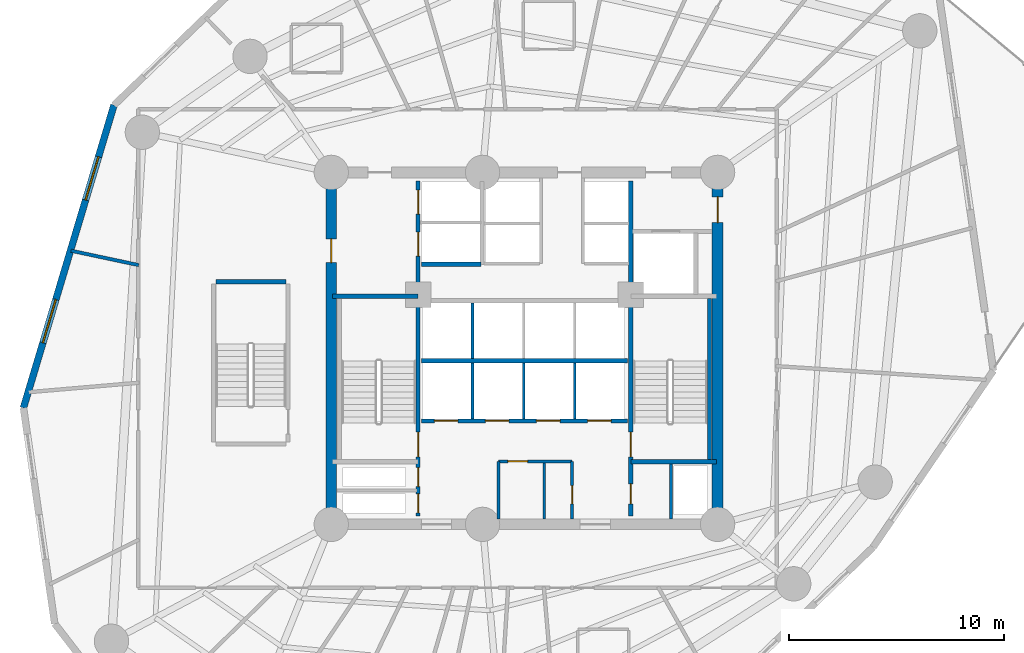
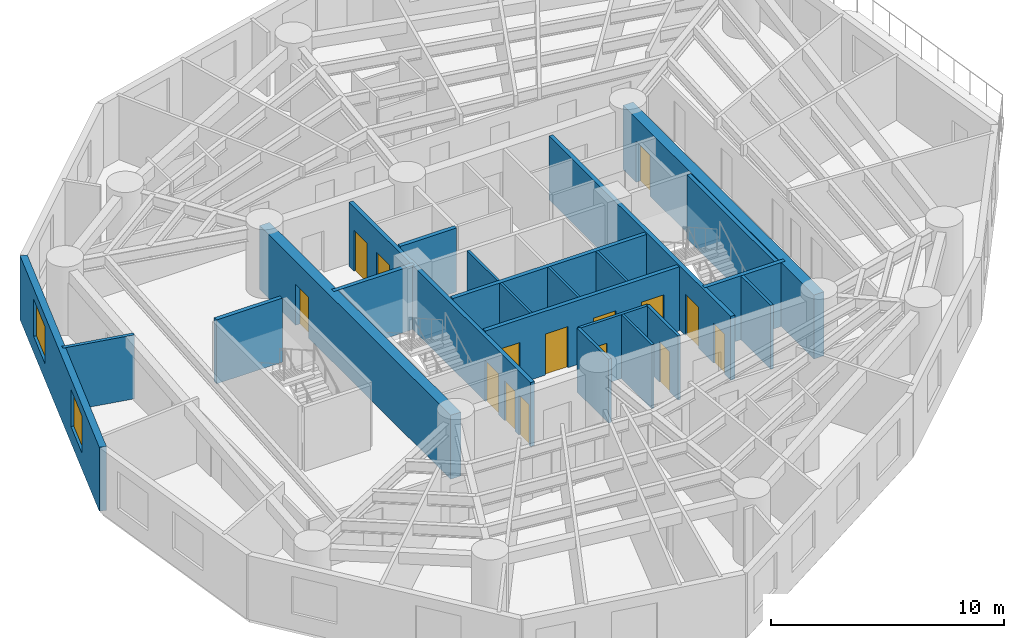
# One storey, part 4 of 9: 22 walls, 15 doors, 2 windows, 17 openings.
"""IFC4 building model written with IfcOpenShell, lengths in metres."""

from ifc_helpers import new_model, si_unit, direction, frame, frame_2d, origin, origin_with_axes, place, context, subcontext, project, spatial, rectangle, extrude, source, transform, mapped, material, layer, layer_set, type_object, element, fill, save


model = new_model("IFC4")

# Units and contexts
model_context = context("Model", 3, precision=1e-05, world=origin(), true_north=direction((0.0, 1.0)))
body_context = subcontext(model_context, "Body", "Model", "MODEL_VIEW")
ifc_project = project(units=[si_unit("LENGTHUNIT", "METRE"), si_unit("AREAUNIT", "SQUARE_METRE"), si_unit("VOLUMEUNIT", "CUBIC_METRE"), si_unit("PLANEANGLEUNIT", "RADIAN"), si_unit("MASSUNIT", "GRAM", prefix="KILO")], contexts=[model_context])

# Site, building, storey
site_placement = place(None, origin())
site = spatial("IfcSite", under=ifc_project, at=site_placement, CompositionType="ELEMENT")
building_placement = place(site_placement, origin())
building = spatial("IfcBuilding", under=site, at=building_placement, Name="Karkom Vertical University and Central Library", CompositionType="ELEMENT")
storey_placement = place(building_placement, frame((0.0, 0.0, 69.699951171875)))
storey = spatial("IfcBuildingStorey", under=building, at=storey_placement, Name="L18", CompositionType="ELEMENT", Elevation=69.699951171875)

# Wall, openings, windows
ifc_material_1 = material(Name="Brick-faced precast concrete C45/55", Category="masonry")
ifc_layer_1 = layer(ifc_material_1, 0.320068359375)
ifc_layer_set_1 = layer_set([ifc_layer_1], Name="Brick-faced precast concrete C45/55")
wall_type_1 = type_object("IfcWallType", Name="ENV-WL-BRK-320", PredefinedType="SOLIDWALL", material=ifc_layer_set_1)
wall_1_placement = place(storey_placement, frame((9.375244140625, 37.838134765625, 0.0), z_axis=(0.0, 0.0, 1.0), x_axis=(-0.286532715345, -0.958070458284, 0.0)))
wall_1 = element("IfcWall", 1, at=wall_1_placement, inside=storey, type_object=wall_type_1, Name="Level 18 Brick-Faced Precast Facade Wall 01", PredefinedType="SOLIDWALL", context=body_context, shape_type="SweptSolid", body=[
    extrude(rectangle(XDim=14.7294921875, YDim=0.320068359375, at=frame_2d((7.36474609375, 0.0))), origin(), (0.0, 0.0, 1.0), 3.35009765625),
])
opening_1_placement = place(wall_1_placement, frame((2.516845703125, 0.0, 0.85009765625)))
opening_1 = element("IfcOpeningElement", 2, at=opening_1_placement, cuts=wall_1, Name="Opening WN-03", PredefinedType="OPENING", context=body_context, shape_type="SweptSolid", body=[
    extrude(rectangle(XDim=2.10009765625, YDim=1.949951171875, at=frame_2d((1.050048828125, 0.97509765625))), frame((0.0, 0.169921875, 0.0), z_axis=(0.0, -1.0, 0.0), x_axis=(1.0, 0.0, 0.0)), (0.0, 0.0, 1.0), 0.340087890625),
])
opening_2_placement = place(wall_1_placement, frame((9.458251953125, 0.0, 0.85009765625)))
opening_2 = element("IfcOpeningElement", 3, at=opening_2_placement, cuts=wall_1, Name="Opening WN-03", PredefinedType="OPENING", context=body_context, shape_type="SweptSolid", body=[
    extrude(rectangle(XDim=2.10009765625, YDim=1.949951171875, at=frame_2d((1.050048828125, 0.97509765625))), frame((0.0, 0.169921875, 0.0), z_axis=(0.0, -1.0, 0.0), x_axis=(1.0, 0.0, 0.0)), (0.0, 0.0, 1.0), 0.340087890625),
])
ifc_material_2 = material(Name="Aluminium thermal-break frame with solar-control IGU", Category="aluminium")
window_type = type_object("IfcWindowType", Name="ENV-WIN-WN-03", PartitioningType="SINGLE_PANEL", PredefinedType="WINDOW", material=ifc_material_2)
shared_shape_1 = source(origin_with_axes(), body_context, "Body", "SweptSolid", [
    extrude(rectangle(XDim=2.10009765625, YDim=1.949951171875, at=frame_2d((1.050048828125, 0.97509765625))), frame((0.0, 0.030029296875, 0.0), z_axis=(0.0, -1.0, 0.0), x_axis=(1.0, 0.0, 0.0)), (0.0, 0.0, 1.0), 0.06005859375),
])
window_1_placement = place(opening_1_placement, origin())
window_1 = element("IfcWindow", 4, at=window_1_placement, inside=storey, type_object=window_type, Name="Level 18 Punched Window 1.1", OverallHeight=1.949951171875, OverallWidth=2.10009765625, PartitioningType="SINGLE_PANEL", PredefinedType="WINDOW", context=body_context, shape_type="MappedRepresentation", body=[
    mapped(shared_shape_1, transform((0.0, 0.0, 0.0), scale=1.0)),
])
fill(opening_1, window_1)
window_2_placement = place(opening_2_placement, origin())
window_2 = element("IfcWindow", 5, at=window_2_placement, inside=storey, type_object=window_type, Name="Level 18 Punched Window 1.2", OverallHeight=1.949951171875, OverallWidth=2.10009765625, PartitioningType="SINGLE_PANEL", PredefinedType="WINDOW", context=body_context, shape_type="MappedRepresentation", body=[
    mapped(shared_shape_1, transform((0.0, 0.0, 0.0), scale=1.0)),
])
fill(opening_2, window_2)

# Walls
ifc_material_3 = material(Name="Insulated metal-stud drywall 160mm", Category="gypsum")
ifc_layer_2 = layer(ifc_material_3, 0.159912109375)
ifc_layer_set_2 = layer_set([ifc_layer_2], Name="Insulated metal-stud drywall 160mm")
wall_type_2 = type_object("IfcWallType", Name="INT-WL-COR-160", PredefinedType="PARTITIONING", material=ifc_layer_set_2)
wall_2_placement = place(storey_placement, frame((10.529296875, 30.380126953125, 0.0), z_axis=(0.0, 0.0, 1.0), x_axis=(-0.978162887363, 0.207839759876, 0.0)))
element("IfcWall", 6, at=wall_2_placement, inside=storey, type_object=wall_type_2, Name="Level 18 Interior Partition Wall L18-PW-029", PredefinedType="PARTITIONING", context=body_context, shape_type="SweptSolid", body=[
    extrude(rectangle(XDim=3.22802734375, YDim=0.159912109375, at=frame_2d((1.614013671875, 0.0))), origin(), (0.0, 0.0, 1.0), 3.35009765625),
])
ifc_material_4 = material(Name="Moisture-resistant drywall 120mm", Category="gypsum")
ifc_layer_3 = layer(ifc_material_4, 0.1201171875)
ifc_layer_set_3 = layer_set([ifc_layer_3], Name="Moisture-resistant drywall 120mm")
wall_type_3 = type_object("IfcWallType", Name="INT-WL-INT-120", PredefinedType="PARTITIONING", material=ifc_layer_set_3)
wall_3_placement = place(storey_placement, frame((29.419921875, 18.556884765625, 0.0), z_axis=(0.0, 0.0, 1.0), x_axis=(0.0, 1.0, 0.0)))
element("IfcWall", 7, at=wall_3_placement, inside=storey, type_object=wall_type_3, Name="Level 18 Interior Partition Wall L18-CW-K3-DIV", PredefinedType="PARTITIONING", context=body_context, shape_type="SweptSolid", body=[
    extrude(rectangle(XDim=2.611083984375, YDim=0.1201171875, at=frame_2d((1.3056640625, 0.0))), origin(), (0.0, 0.0, 1.0), 3.35009765625),
])
ifc_layer_4 = layer(ifc_material_4, 0.1201171875)
ifc_layer_set_4 = layer_set([ifc_layer_4], Name="Moisture-resistant drywall 120mm")
wall_type_4 = type_object("IfcWallType", Name="INT-WL-INT-120H", PredefinedType="PARTITIONING", material=ifc_layer_set_4)
for number, where, z_axis, x_axis, name in (
    (8, (26.080078125, 23.219970703125, 0.0), (0.0, 0.0, 1.0), (0.0, 1.0, 0.0), "Level 18 Interior Partition Wall L18-CW-PL-DIV1"),
    (9, (28.4599609375, 23.219970703125, 0.0), (0.0, 0.0, 1.0), (0.0, 1.0, 0.0), "Level 18 Interior Partition Wall L18-CW-PL-DIV2"),
    (10, (30.840087890625, 23.219970703125, 0.0), (0.0, 0.0, 1.0), (0.0, 1.0, 0.0), "Level 18 Interior Partition Wall L18-CW-PL-DIV3"),
    (11, (26.080078125, 26.02001953125, 0.0), (0.0, 0.0, 1.0), (0.0, 1.0, 0.0), "Level 18 Interior Partition Wall L18-CW-PM-DIV1"),
):
    element("IfcWall", number, at=place(storey_placement, frame(where, z_axis=z_axis, x_axis=x_axis)), inside=storey, type_object=wall_type_4, Name=name, PredefinedType="PARTITIONING", context=body_context, shape_type="SweptSolid", body=[
        extrude(rectangle(XDim=2.60009765625, YDim=0.1201171875, at=frame_2d((1.300048828125, 0.0))), origin(), (0.0, 0.0, 1.0), 3.35009765625),
    ])

# Wall, opening, door
ifc_material_5 = material(Name="Metal-stud gypsum partition 140mm", Category="gypsum")
ifc_layer_5 = layer(ifc_material_5, 0.139892578125)
ifc_layer_set_5 = layer_set([ifc_layer_5], Name="Metal-stud gypsum partition 140mm")
wall_type_5 = type_object("IfcWallType", Name="INT-WL-SUB-140", PredefinedType="PARTITIONING", material=ifc_layer_set_5)
wall_4_placement = place(storey_placement, frame((27.280029296875, 21.239990234375, 0.0), z_axis=(0.0, 0.0, 1.0), x_axis=(1.0, 0.0, 0.0)))
wall_4 = element("IfcWall", 12, at=wall_4_placement, inside=storey, type_object=wall_type_5, Name="Level 18 Interior Partition Wall L18-CW-KBAY-N", PredefinedType="PARTITIONING", context=body_context, shape_type="SweptSolid", body=[
    extrude(rectangle(XDim=3.43994140625, YDim=0.139892578125, at=frame_2d((1.719970703125, 0.0))), origin(), (0.0, 0.0, 1.0), 3.35009765625),
])
opening_3_placement = place(wall_4_placement, frame((0.449951171875, 0.0, 0.0)))
opening_3 = element("IfcOpeningElement", 13, at=opening_3_placement, cuts=wall_4, Name="Opening D-SVC1", PredefinedType="OPENING", context=body_context, shape_type="SweptSolid", body=[
    extrude(rectangle(XDim=0.919921875, YDim=2.10009765625, at=frame_2d((0.4599609375, 1.050048828125))), frame((0.0, 0.080078125, 0.0), z_axis=(0.0, -1.0, 0.0), x_axis=(1.0, 0.0, 0.0)), (0.0, 0.0, 1.0), 0.159912109375),
])
ifc_material_6 = material(Name="Painted timber service door", Category="wood")
door_type_1 = type_object("IfcDoorType", Name="INT-DR-SVC1", OperationType="NOTDEFINED", PredefinedType="DOOR", material=ifc_material_6)
shared_shape_2 = source(origin_with_axes(), body_context, "Body", "SweptSolid", [
    extrude(rectangle(XDim=0.919921875, YDim=2.10009765625, at=frame_2d((0.4599609375, 1.050048828125))), frame((0.0, 0.02490234375, 0.0), z_axis=(0.0, -1.0, 0.0), x_axis=(1.0, 0.0, 0.0)), (0.0, 0.0, 1.0), 0.050048828125),
])
door_1_placement = place(opening_3_placement, origin())
door_1 = element("IfcDoor", 14, at=door_1_placement, inside=storey, type_object=door_type_1, Name="Level 18 Copy Room Door", OperationType="SINGLE_SWING_RIGHT", OverallHeight=2.10009765625, OverallWidth=0.919921875, PredefinedType="DOOR", context=body_context, shape_type="MappedRepresentation", body=[
    mapped(shared_shape_2, transform((0.0, 0.0, 0.0), scale=1.0)),
])
fill(opening_3, door_1)

# Wall
wall_5_placement = place(storey_placement, frame((27.280029296875, 18.550048828125, 0.0), z_axis=(0.0, 0.0, 1.0), x_axis=(0.0, 1.0, 0.0)))
element("IfcWall", 15, at=wall_5_placement, inside=storey, type_object=wall_type_5, Name="Level 18 Interior Partition Wall L18-CW-KBAY-W", PredefinedType="PARTITIONING", context=body_context, shape_type="SweptSolid", body=[
    extrude(rectangle(XDim=2.68994140625, YDim=0.139892578125, at=frame_2d((1.344970703125, 0.0))), origin(), (0.0, 0.0, 1.0), 3.35009765625),
])

# Wall, opening, door
wall_6_placement = place(storey_placement, frame((30.719970703125, 18.550048828125, 0.0), z_axis=(0.0, 0.0, 1.0), x_axis=(0.0, 1.0, 0.0)))
wall_6 = element("IfcWall", 16, at=wall_6_placement, inside=storey, type_object=wall_type_5, Name="Level 18 Interior Partition Wall L18-CW-KBAY-E", PredefinedType="PARTITIONING", context=body_context, shape_type="SweptSolid", body=[
    extrude(rectangle(XDim=2.68994140625, YDim=0.139892578125, at=frame_2d((1.344970703125, 0.0))), origin(), (0.0, 0.0, 1.0), 3.35009765625),
])
opening_4_placement = place(wall_6_placement, frame((0.699951171875, 0.0, 0.0)))
opening_4 = element("IfcOpeningElement", 17, at=opening_4_placement, cuts=wall_6, Name="Opening D-BATH", PredefinedType="OPENING", context=body_context, shape_type="SweptSolid", body=[
    extrude(rectangle(XDim=0.860107421875, YDim=2.10009765625, at=frame_2d((0.43017578125, 1.050048828125))), frame((0.0, 0.080078125, 0.0), z_axis=(0.0, -1.0, 0.0), x_axis=(1.0, 0.0, 0.0)), (0.0, 0.0, 1.0), 0.159912109375),
])
ifc_material_7 = material(Name="Moisture-resistant oak door", Category="wood")
door_type_2 = type_object("IfcDoorType", Name="INT-DR-BATH", OperationType="NOTDEFINED", PredefinedType="DOOR", material=ifc_material_7)
shared_shape_3 = source(origin_with_axes(), body_context, "Body", "SweptSolid", [
    extrude(rectangle(XDim=0.860107421875, YDim=2.10009765625, at=frame_2d((0.43017578125, 1.050048828125))), frame((0.0, 0.02490234375, 0.0), z_axis=(0.0, -1.0, 0.0), x_axis=(1.0, 0.0, 0.0)), (0.0, 0.0, 1.0), 0.050048828125),
])
door_2_placement = place(opening_4_placement, origin())
door_2 = element("IfcDoor", 18, at=door_2_placement, inside=storey, type_object=door_type_2, Name="Level 18 Janitor Door", OperationType="SINGLE_SWING_LEFT", OverallHeight=2.10009765625, OverallWidth=0.860107421875, PredefinedType="DOOR", context=body_context, shape_type="MappedRepresentation", body=[
    mapped(shared_shape_3, transform((0.0, 0.0, 0.0), scale=1.0)),
])
fill(opening_4, door_2)

# Wall
ifc_layer_6 = layer(ifc_material_5, 0.139892578125)
ifc_layer_set_6 = layer_set([ifc_layer_6], Name="Metal-stud gypsum partition 140mm")
wall_type_6 = type_object("IfcWallType", Name="INT-WL-SUB-140H", PredefinedType="PARTITIONING", material=ifc_layer_set_6)
wall_7_placement = place(storey_placement, frame((35.320068359375, 18.556884765625, 0.0), z_axis=(0.0, 0.0, 1.0), x_axis=(0.0, 1.0, 0.0)))
element("IfcWall", 19, at=wall_7_placement, inside=storey, type_object=wall_type_6, Name="Level 18 Interior Partition Wall L18-CW-RIS-E", PredefinedType="PARTITIONING", context=body_context, shape_type="SweptSolid", body=[
    extrude(rectangle(XDim=2.553466796875, YDim=0.139892578125, at=frame_2d((1.27685546875, 0.0))), origin(), (0.0, 0.0, 1.0), 3.35009765625),
])

# Wall, opening, door
ifc_material_8 = material(Name="Concrete C50/60", Category="concrete")
ifc_layer_7 = layer(ifc_material_8, 0.5)
ifc_layer_set_7 = layer_set([ifc_layer_7], Name="Concrete C50/60")
wall_type_7 = type_object("IfcWallType", Name="STR-WL-CW-500", PredefinedType="SHEAR", material=ifc_layer_set_7)
wall_8_placement = place(storey_placement, frame((37.5, 18.300048828125, 0.0), z_axis=(0.0, 0.0, 1.0), x_axis=(0.0, 1.0, 0.0)))
wall_8 = element("IfcWall", 20, at=wall_8_placement, inside=storey, type_object=wall_type_7, Name="Level 18 Central Core Shear Wall EW", PredefinedType="SHEAR", context=body_context, shape_type="SweptSolid", body=[
    extrude(rectangle(XDim=16.39990234375, YDim=0.5, at=frame_2d((8.199951171875, 0.0))), origin(), (0.0, 0.0, 1.0), 3.35009765625),
])
opening_5_placement = place(wall_8_placement, frame((14.06005859375, 0.0, 0.0)))
opening_5 = element("IfcOpeningElement", 21, at=opening_5_placement, cuts=wall_8, Name="Opening FD-SUB1", PredefinedType="OPENING", context=body_context, shape_type="SweptSolid", body=[
    extrude(rectangle(XDim=1.199951171875, YDim=2.14990234375, at=frame_2d((0.60009765625, 1.074951171875))), frame((0.0, 0.260009765625, 0.0), z_axis=(0.0, -1.0, 0.0), x_axis=(1.0, 0.0, 0.0)), (0.0, 0.0, 1.0), 0.52001953125),
])
ifc_material_9 = material(Name="Painted steel fire door", Category="steel")
door_type_3 = type_object("IfcDoorType", Name="INT-DR-SUB1", OperationType="NOTDEFINED", PredefinedType="DOOR", material=ifc_material_9)
shared_shape_4 = source(origin_with_axes(), body_context, "Body", "SweptSolid", [
    extrude(rectangle(XDim=1.199951171875, YDim=2.14990234375, at=frame_2d((0.60009765625, 1.074951171875))), frame((0.0, 0.02490234375, 0.0), z_axis=(0.0, -1.0, 0.0), x_axis=(1.0, 0.0, 0.0)), (0.0, 0.0, 1.0), 0.050048828125),
])
door_3_placement = place(opening_5_placement, origin())
door_3 = element("IfcDoor", 22, at=door_3_placement, inside=storey, type_object=door_type_3, Name="Level 18 East Corridor Service Lobby Door", OperationType="SINGLE_SWING_LEFT", OverallHeight=2.14990234375, OverallWidth=1.199951171875, PredefinedType="DOOR", context=body_context, shape_type="MappedRepresentation", body=[
    mapped(shared_shape_4, transform((0.0, 0.0, 0.0), scale=1.0)),
])
fill(opening_5, door_3)

wall_9_placement = place(storey_placement, frame((19.5, 34.699951171875, 0.0), z_axis=(0.0, 0.0, 1.0), x_axis=(0.0, -1.0, 0.0)))
wall_9 = element("IfcWall", 23, at=wall_9_placement, inside=storey, type_object=wall_type_7, Name="Level 18 Central Core Shear Wall WW", PredefinedType="SHEAR", context=body_context, shape_type="SweptSolid", body=[
    extrude(rectangle(XDim=16.39990234375, YDim=0.5, at=frame_2d((8.199951171875, 0.0))), origin(), (0.0, 0.0, 1.0), 3.35009765625),
])
opening_6_placement = place(wall_9_placement, frame((3.10009765625, 0.0, 0.0)))
opening_6 = element("IfcOpeningElement", 24, at=opening_6_placement, cuts=wall_9, Name="Opening FD-FFL", PredefinedType="OPENING", context=body_context, shape_type="SweptSolid", body=[
    extrude(rectangle(XDim=1.10009765625, YDim=2.14990234375, at=frame_2d((0.550048828125, 1.074951171875))), frame((0.0, 0.260009765625, 0.0), z_axis=(0.0, -1.0, 0.0), x_axis=(1.0, 0.0, 0.0)), (0.0, 0.0, 1.0), 0.52001953125),
])
ifc_material_10 = material(Name="Painted steel smoke-seal fire door", Category="steel")
door_type_4 = type_object("IfcDoorType", Name="INT-DR-FFL", OperationType="NOTDEFINED", PredefinedType="DOOR", material=ifc_material_10)
shared_shape_5 = source(origin_with_axes(), body_context, "Body", "SweptSolid", [
    extrude(rectangle(XDim=1.10009765625, YDim=2.14990234375, at=frame_2d((0.550048828125, 1.074951171875))), frame((0.0, 0.02490234375, 0.0), z_axis=(0.0, -1.0, 0.0), x_axis=(1.0, 0.0, 0.0)), (0.0, 0.0, 1.0), 0.050048828125),
])
door_4_placement = place(opening_6_placement, origin())
door_4 = element("IfcDoor", 25, at=door_4_placement, inside=storey, type_object=door_type_4, Name="Level 18 West Corridor Firefighting Lobby Door", OperationType="SINGLE_SWING_RIGHT", OverallHeight=2.14990234375, OverallWidth=1.10009765625, PredefinedType="DOOR", context=body_context, shape_type="MappedRepresentation", body=[
    mapped(shared_shape_5, transform((0.0, 0.0, 0.0), scale=1.0)),
])
fill(opening_6, door_4)

# Wall, openings, doors
ifc_material_11 = material(Name="Concrete C45/55", Category="concrete")
ifc_layer_8 = layer(ifc_material_11, 0.199951171875)
ifc_layer_set_8 = layer_set([ifc_layer_8], Name="Concrete C45/55")
wall_type_8 = type_object("IfcWallType", Name="STR-WL-ST-200", PredefinedType="SHEAR", material=ifc_layer_set_8)
wall_10_placement = place(storey_placement, frame((23.544921875, 18.699951171875, 0.0), z_axis=(0.0, 0.0, 1.0), x_axis=(0.0, 1.0, 0.0)))
wall_10 = element("IfcWall", 26, at=wall_10_placement, inside=storey, type_object=wall_type_8, Name="Level 18 Core Shaft Wall L18-CW-ST1-E", PredefinedType="SHEAR", context=body_context, shape_type="SweptSolid", body=[
    extrude(rectangle(XDim=15.60009765625, YDim=0.199951171875, at=frame_2d((7.800048828125, 0.0))), origin(), (0.0, 0.0, 1.0), 3.35009765625),
])
opening_7_placement = place(wall_10_placement, frame((2.75, 0.0, 0.0)))
opening_7 = element("IfcOpeningElement", 27, at=opening_7_placement, cuts=wall_10, Name="Opening FD-ST1", PredefinedType="OPENING", context=body_context, shape_type="SweptSolid", body=[
    extrude(rectangle(XDim=1.14990234375, YDim=2.14990234375, at=frame_2d((0.574951171875, 1.074951171875))), frame((0.0, 0.10986328125, 0.0), z_axis=(0.0, -1.0, 0.0), x_axis=(1.0, 0.0, 0.0)), (0.0, 0.0, 1.0), 0.219970703125),
])
opening_8_placement = place(wall_10_placement, frame((0.139892578125, 0.0, 0.0)))
opening_8 = element("IfcOpeningElement", 28, at=opening_8_placement, cuts=wall_10, Name="Opening FD-RIS", PredefinedType="OPENING", context=body_context, shape_type="SweptSolid", body=[
    extrude(rectangle(XDim=0.8798828125, YDim=2.10009765625, at=frame_2d((0.43994140625, 1.050048828125))), frame((0.0, 0.10986328125, 0.0), z_axis=(0.0, -1.0, 0.0), x_axis=(1.0, 0.0, 0.0)), (0.0, 0.0, 1.0), 0.219970703125),
])
opening_9_placement = place(wall_10_placement, frame((1.360107421875, 0.0, 0.0)))
opening_9 = element("IfcOpeningElement", 29, at=opening_9_placement, cuts=wall_10, Name="Opening FD-RIS", PredefinedType="OPENING", context=body_context, shape_type="SweptSolid", body=[
    extrude(rectangle(XDim=0.8798828125, YDim=2.10009765625, at=frame_2d((0.43994140625, 1.050048828125))), frame((0.0, 0.10986328125, 0.0), z_axis=(0.0, -1.0, 0.0), x_axis=(1.0, 0.0, 0.0)), (0.0, 0.0, 1.0), 0.219970703125),
])
opening_10_placement = place(wall_10_placement, frame((12.10009765625, 0.0, 0.0)))
opening_10 = element("IfcOpeningElement", 30, at=opening_10_placement, cuts=wall_10, Name="Opening LD-FFL", PredefinedType="OPENING", context=body_context, shape_type="SweptSolid", body=[
    extrude(rectangle(XDim=1.1201171875, YDim=2.14990234375, at=frame_2d((0.56005859375, 1.074951171875))), frame((0.0, 0.10986328125, 0.0), z_axis=(0.0, -1.0, 0.0), x_axis=(1.0, 0.0, 0.0)), (0.0, 0.0, 1.0), 0.219970703125),
])
opening_11_placement = place(wall_10_placement, frame((14.050048828125, 0.0, 0.0)))
opening_11 = element("IfcOpeningElement", 31, at=opening_11_placement, cuts=wall_10, Name="Opening LD-FFL", PredefinedType="OPENING", context=body_context, shape_type="SweptSolid", body=[
    extrude(rectangle(XDim=1.1201171875, YDim=2.14990234375, at=frame_2d((0.56005859375, 1.074951171875))), frame((0.0, 0.10986328125, 0.0), z_axis=(0.0, -1.0, 0.0), x_axis=(1.0, 0.0, 0.0)), (0.0, 0.0, 1.0), 0.219970703125),
])
ifc_material_12 = material(Name="Painted steel acoustic fire door", Category="steel")
door_type_5 = type_object("IfcDoorType", Name="INT-DR-ST1", OperationType="NOTDEFINED", PredefinedType="DOOR", material=ifc_material_12)
shared_shape_6 = source(origin_with_axes(), body_context, "Body", "SweptSolid", [
    extrude(rectangle(XDim=1.14990234375, YDim=2.14990234375, at=frame_2d((0.574951171875, 1.074951171875))), frame((0.0, 0.02490234375, 0.0), z_axis=(0.0, -1.0, 0.0), x_axis=(1.0, 0.0, 0.0)), (0.0, 0.0, 1.0), 0.050048828125),
])
door_5_placement = place(opening_7_placement, origin())
door_5 = element("IfcDoor", 32, at=door_5_placement, inside=storey, type_object=door_type_5, Name="Level 18 Stair ST-1 Fire Door", OperationType="SINGLE_SWING_LEFT", OverallHeight=2.14990234375, OverallWidth=1.14990234375, PredefinedType="DOOR", context=body_context, shape_type="MappedRepresentation", body=[
    mapped(shared_shape_6, transform((0.0, 0.0, 0.0), scale=1.0)),
])
fill(opening_7, door_5)
ifc_material_13 = material(Name="Painted steel riser access door", Category="steel")
door_type_6 = type_object("IfcDoorType", Name="INT-DR-RIS", OperationType="NOTDEFINED", PredefinedType="DOOR", material=ifc_material_13)
shared_shape_7 = source(origin_with_axes(), body_context, "Body", "SweptSolid", [
    extrude(rectangle(XDim=0.8798828125, YDim=2.10009765625, at=frame_2d((0.43994140625, 1.050048828125))), frame((0.0, 0.02490234375, 0.0), z_axis=(0.0, -1.0, 0.0), x_axis=(1.0, 0.0, 0.0)), (0.0, 0.0, 1.0), 0.050048828125),
])
door_6_placement = place(opening_8_placement, origin())
door_6 = element("IfcDoor", 33, at=door_6_placement, inside=storey, type_object=door_type_6, Name="Level 18 Electrical Riser Access Door", OperationType="SINGLE_SWING_LEFT", OverallHeight=2.10009765625, OverallWidth=0.8798828125, PredefinedType="DOOR", context=body_context, shape_type="MappedRepresentation", body=[
    mapped(shared_shape_7, transform((0.0, 0.0, 0.0), scale=1.0)),
])
fill(opening_8, door_6)
door_7_placement = place(opening_9_placement, origin())
door_7 = element("IfcDoor", 34, at=door_7_placement, inside=storey, type_object=door_type_6, Name="Level 18 Telecom Riser Access Door", OperationType="SINGLE_SWING_RIGHT", OverallHeight=2.10009765625, OverallWidth=0.8798828125, PredefinedType="DOOR", context=body_context, shape_type="MappedRepresentation", body=[
    mapped(shared_shape_7, transform((0.0, 0.0, 0.0), scale=1.0)),
])
fill(opening_9, door_7)
ifc_material_14 = material(Name="Fire-rated stainless-steel landing door", Category="steel")
door_type_7 = type_object("IfcDoorType", Name="INT-DR-LD-FFL", OperationType="SLIDING_TO_LEFT", PredefinedType="DOOR", material=ifc_material_14)
shared_shape_8 = source(origin_with_axes(), body_context, "Body", "SweptSolid", [
    extrude(rectangle(XDim=1.1201171875, YDim=2.14990234375, at=frame_2d((0.56005859375, 1.074951171875))), frame((0.0, 0.02490234375, 0.0), z_axis=(0.0, -1.0, 0.0), x_axis=(1.0, 0.0, 0.0)), (0.0, 0.0, 1.0), 0.050048828125),
])
door_8_placement = place(opening_10_placement, origin())
door_8 = element("IfcDoor", 35, at=door_8_placement, inside=storey, type_object=door_type_7, Name="Level 18 Firefighting Lift FFL-1 Landing Door", OperationType="SLIDING_TO_LEFT", OverallHeight=2.14990234375, OverallWidth=1.1201171875, PredefinedType="DOOR", context=body_context, shape_type="MappedRepresentation", body=[
    mapped(shared_shape_8, transform((0.0, 0.0, 0.0), scale=1.0)),
])
fill(opening_10, door_8)
door_9_placement = place(opening_11_placement, origin())
door_9 = element("IfcDoor", 36, at=door_9_placement, inside=storey, type_object=door_type_7, Name="Level 18 Firefighting Lift FFL-2 Landing Door", OperationType="SLIDING_TO_RIGHT", OverallHeight=2.14990234375, OverallWidth=1.1201171875, PredefinedType="DOOR", context=body_context, shape_type="MappedRepresentation", body=[
    mapped(shared_shape_8, transform((0.0, 0.0, 0.0), scale=1.0)),
])
fill(opening_11, door_9)

wall_11_placement = place(storey_placement, frame((33.455078125, 18.699951171875, 0.0), z_axis=(0.0, 0.0, 1.0), x_axis=(0.0, 1.0, 0.0)))
wall_11 = element("IfcWall", 37, at=wall_11_placement, inside=storey, type_object=wall_type_8, Name="Level 18 Core Shaft Wall L18-CW-ST2-W", PredefinedType="SHEAR", context=body_context, shape_type="SweptSolid", body=[
    extrude(rectangle(XDim=15.60009765625, YDim=0.199951171875, at=frame_2d((7.800048828125, 0.0))), origin(), (0.0, 0.0, 1.0), 3.35009765625),
])
opening_12_placement = place(wall_11_placement, frame((2.75, 0.0, 0.0)))
opening_12 = element("IfcOpeningElement", 38, at=opening_12_placement, cuts=wall_11, Name="Opening FD-ST1", PredefinedType="OPENING", context=body_context, shape_type="SweptSolid", body=[
    extrude(rectangle(XDim=1.14990234375, YDim=2.14990234375, at=frame_2d((0.574951171875, 1.074951171875))), frame((0.0, 0.10986328125, 0.0), z_axis=(0.0, -1.0, 0.0), x_axis=(1.0, 0.0, 0.0)), (0.0, 0.0, 1.0), 0.219970703125),
])
opening_13_placement = place(wall_11_placement, frame((0.550048828125, 0.0, 0.0)))
opening_13 = element("IfcOpeningElement", 39, at=opening_13_placement, cuts=wall_11, Name="Opening D-WC1", PredefinedType="OPENING", context=body_context, shape_type="SweptSolid", body=[
    extrude(rectangle(XDim=0.93994140625, YDim=2.10009765625, at=frame_2d((0.469970703125, 1.050048828125))), frame((0.0, 0.10986328125, 0.0), z_axis=(0.0, -1.0, 0.0), x_axis=(1.0, 0.0, 0.0)), (0.0, 0.0, 1.0), 0.219970703125),
])
door_10_placement = place(opening_12_placement, origin())
door_10 = element("IfcDoor", 40, at=door_10_placement, inside=storey, type_object=door_type_5, Name="Level 18 Stair ST-2 Fire Door", OperationType="SINGLE_SWING_RIGHT", OverallHeight=2.14990234375, OverallWidth=1.14990234375, PredefinedType="DOOR", context=body_context, shape_type="MappedRepresentation", body=[
    mapped(shared_shape_6, transform((0.0, 0.0, 0.0), scale=1.0)),
])
fill(opening_12, door_10)
ifc_material_15 = material(Name="Fire-rated laminate moisture-resistant door", Category="wood")
door_type_8 = type_object("IfcDoorType", Name="INT-DR-WC1", OperationType="NOTDEFINED", PredefinedType="DOOR", material=ifc_material_15)
shared_shape_9 = source(origin_with_axes(), body_context, "Body", "SweptSolid", [
    extrude(rectangle(XDim=0.93994140625, YDim=2.10009765625, at=frame_2d((0.469970703125, 1.050048828125))), frame((0.0, 0.02490234375, 0.0), z_axis=(0.0, -1.0, 0.0), x_axis=(1.0, 0.0, 0.0)), (0.0, 0.0, 1.0), 0.050048828125),
])
door_11_placement = place(opening_13_placement, origin())
door_11 = element("IfcDoor", 41, at=door_11_placement, inside=storey, type_object=door_type_8, Name="Level 18 Accessible WC Door", OperationType="SINGLE_SWING_LEFT", OverallHeight=2.10009765625, OverallWidth=0.93994140625, PredefinedType="DOOR", context=body_context, shape_type="MappedRepresentation", body=[
    mapped(shared_shape_9, transform((0.0, 0.0, 0.0), scale=1.0)),
])
fill(opening_13, door_11)

wall_12_placement = place(storey_placement, frame((23.699951171875, 23.1201171875, 0.0), z_axis=(0.0, 0.0, 1.0), x_axis=(1.0, 0.0, 0.0)))
wall_12 = element("IfcWall", 42, at=wall_12_placement, inside=storey, type_object=wall_type_8, Name="Level 18 Core Shaft Wall L18-CW-B1-S", PredefinedType="SHEAR", context=body_context, shape_type="SweptSolid", body=[
    extrude(rectangle(XDim=9.60009765625, YDim=0.199951171875, at=frame_2d((4.800048828125, 0.0))), origin(), (0.0, 0.0, 1.0), 3.35009765625),
])
opening_14_placement = place(wall_12_placement, frame((0.60009765625, 0.0, 0.0)))
opening_14 = element("IfcOpeningElement", 43, at=opening_14_placement, cuts=wall_12, Name="Opening LD-PAX", PredefinedType="OPENING", context=body_context, shape_type="SweptSolid", body=[
    extrude(rectangle(XDim=1.10009765625, YDim=2.14990234375, at=frame_2d((0.550048828125, 1.074951171875))), frame((0.0, 0.10986328125, 0.0), z_axis=(0.0, -1.0, 0.0), x_axis=(1.0, 0.0, 0.0)), (0.0, 0.0, 1.0), 0.219970703125),
])
opening_15_placement = place(wall_12_placement, frame((2.97998046875, 0.0, 0.0)))
opening_15 = element("IfcOpeningElement", 44, at=opening_15_placement, cuts=wall_12, Name="Opening LD-PAX", PredefinedType="OPENING", context=body_context, shape_type="SweptSolid", body=[
    extrude(rectangle(XDim=1.10009765625, YDim=2.14990234375, at=frame_2d((0.550048828125, 1.074951171875))), frame((0.0, 0.10986328125, 0.0), z_axis=(0.0, -1.0, 0.0), x_axis=(1.0, 0.0, 0.0)), (0.0, 0.0, 1.0), 0.219970703125),
])
opening_16_placement = place(wall_12_placement, frame((5.360107421875, 0.0, 0.0)))
opening_16 = element("IfcOpeningElement", 45, at=opening_16_placement, cuts=wall_12, Name="Opening LD-PAX", PredefinedType="OPENING", context=body_context, shape_type="SweptSolid", body=[
    extrude(rectangle(XDim=1.10009765625, YDim=2.14990234375, at=frame_2d((0.550048828125, 1.074951171875))), frame((0.0, 0.10986328125, 0.0), z_axis=(0.0, -1.0, 0.0), x_axis=(1.0, 0.0, 0.0)), (0.0, 0.0, 1.0), 0.219970703125),
])
opening_17_placement = place(wall_12_placement, frame((7.739990234375, 0.0, 0.0)))
opening_17 = element("IfcOpeningElement", 46, at=opening_17_placement, cuts=wall_12, Name="Opening LD-PAX", PredefinedType="OPENING", context=body_context, shape_type="SweptSolid", body=[
    extrude(rectangle(XDim=1.10009765625, YDim=2.14990234375, at=frame_2d((0.550048828125, 1.074951171875))), frame((0.0, 0.10986328125, 0.0), z_axis=(0.0, -1.0, 0.0), x_axis=(1.0, 0.0, 0.0)), (0.0, 0.0, 1.0), 0.219970703125),
])
ifc_material_16 = material(Name="Brushed stainless-steel landing door", Category="steel")
door_type_9 = type_object("IfcDoorType", Name="INT-DR-LD-PAX", OperationType="SLIDING_TO_LEFT", PredefinedType="DOOR", material=ifc_material_16)
door_12_placement = place(opening_14_placement, origin())
door_12 = element("IfcDoor", 47, at=door_12_placement, inside=storey, type_object=door_type_9, Name="Level 18 Lift PL-1 Landing Door", OperationType="SLIDING_TO_LEFT", OverallHeight=2.14990234375, OverallWidth=1.10009765625, PredefinedType="DOOR", context=body_context, shape_type="MappedRepresentation", body=[
    mapped(shared_shape_5, transform((0.0, 0.0, 0.0), scale=1.0)),
])
fill(opening_14, door_12)
door_13_placement = place(opening_15_placement, origin())
door_13 = element("IfcDoor", 48, at=door_13_placement, inside=storey, type_object=door_type_9, Name="Level 18 Lift PL-2 Landing Door", OperationType="SLIDING_TO_RIGHT", OverallHeight=2.14990234375, OverallWidth=1.10009765625, PredefinedType="DOOR", context=body_context, shape_type="MappedRepresentation", body=[
    mapped(shared_shape_5, transform((0.0, 0.0, 0.0), scale=1.0)),
])
fill(opening_15, door_13)
door_14_placement = place(opening_16_placement, origin())
door_14 = element("IfcDoor", 49, at=door_14_placement, inside=storey, type_object=door_type_9, Name="Level 18 Lift PL-3 Landing Door", OperationType="SLIDING_TO_LEFT", OverallHeight=2.14990234375, OverallWidth=1.10009765625, PredefinedType="DOOR", context=body_context, shape_type="MappedRepresentation", body=[
    mapped(shared_shape_5, transform((0.0, 0.0, 0.0), scale=1.0)),
])
fill(opening_16, door_14)
door_15_placement = place(opening_17_placement, origin())
door_15 = element("IfcDoor", 50, at=door_15_placement, inside=storey, type_object=door_type_9, Name="Level 18 Lift PL-4 Landing Door", OperationType="SLIDING_TO_RIGHT", OverallHeight=2.14990234375, OverallWidth=1.10009765625, PredefinedType="DOOR", context=body_context, shape_type="MappedRepresentation", body=[
    mapped(shared_shape_5, transform((0.0, 0.0, 0.0), scale=1.0)),
])
fill(opening_17, door_15)

# Walls
wall_13_placement = place(storey_placement, frame((23.699951171875, 25.919921875, 0.0), z_axis=(0.0, 0.0, 1.0), x_axis=(1.0, 0.0, 0.0)))
element("IfcWall", 51, at=wall_13_placement, inside=storey, type_object=wall_type_8, Name="Level 18 Core Shaft Wall L18-CW-B1-N", PredefinedType="SHEAR", context=body_context, shape_type="SweptSolid", body=[
    extrude(rectangle(XDim=9.60009765625, YDim=0.199951171875, at=frame_2d((4.800048828125, 0.0))), origin(), (0.0, 0.0, 1.0), 3.35009765625),
])
wall_14_placement = place(storey_placement, frame((37.125, 21.320068359375, 0.0), z_axis=(0.0, 0.0, 1.0), x_axis=(0.0, 1.0, 0.0)))
element("IfcWall", 52, at=wall_14_placement, inside=storey, type_object=wall_type_8, Name="Level 18 Core Shaft Wall L18-CW-ST2-E", PredefinedType="SHEAR", context=body_context, shape_type="SweptSolid", body=[
    extrude(rectangle(XDim=7.5, YDim=0.199951171875, at=frame_2d((3.75, 0.0))), origin(), (0.0, 0.0, 1.0), 3.35009765625),
])
for number, where, z_axis, x_axis, name in (
    (53, (33.455078125, 21.215087890625, 0.0), (0.0, 0.0, 1.0), (1.0, 0.0, 0.0), "Level 18 Core Shaft Wall L18-CW-ST2-S"),
    (54, (19.550048828125, 28.925048828125, 0.0), (0.0, 0.0, 1.0), (1.0, 0.0, 0.0), "Level 18 Core Shaft Wall L18-CW-ST1-N"),
):
    element("IfcWall", number, at=place(storey_placement, frame(where, z_axis=z_axis, x_axis=x_axis)), inside=storey, type_object=wall_type_8, Name=name, PredefinedType="SHEAR", context=body_context, shape_type="SweptSolid", body=[
        extrude(rectangle(XDim=3.994873046875, YDim=0.199951171875, at=frame_2d((1.99755859375, 0.0))), origin(), (0.0, 0.0, 1.0), 3.35009765625),
    ])
wall_15_placement = place(storey_placement, frame((14.1201171875, 29.60498046875, 0.0), z_axis=(0.0, 0.0, 1.0), x_axis=(1.0, 0.0, 0.0)))
element("IfcWall", 55, at=wall_15_placement, inside=storey, type_object=wall_type_8, Name="Level 18 Core Shaft Wall L18-W-ST3-N", PredefinedType="SHEAR", context=body_context, shape_type="SweptSolid", body=[
    extrude(rectangle(XDim=3.259765625, YDim=0.199951171875, at=frame_2d((1.6298828125, 0.0))), origin(), (0.0, 0.0, 1.0), 3.35009765625),
])
wall_16_placement = place(storey_placement, frame((23.699951171875, 30.419921875, 0.0), z_axis=(0.0, 0.0, 1.0), x_axis=(1.0, 0.0, 0.0)))
element("IfcWall", 56, at=wall_16_placement, inside=storey, type_object=wall_type_8, Name="Level 18 Core Shaft Wall L18-CW-FFL-S", PredefinedType="SHEAR", context=body_context, shape_type="SweptSolid", body=[
    extrude(rectangle(XDim=2.780029296875, YDim=0.199951171875, at=frame_2d((1.39013671875, 0.0))), origin(), (0.0, 0.0, 1.0), 3.35009765625),
])

save(model, "model.ifc")
